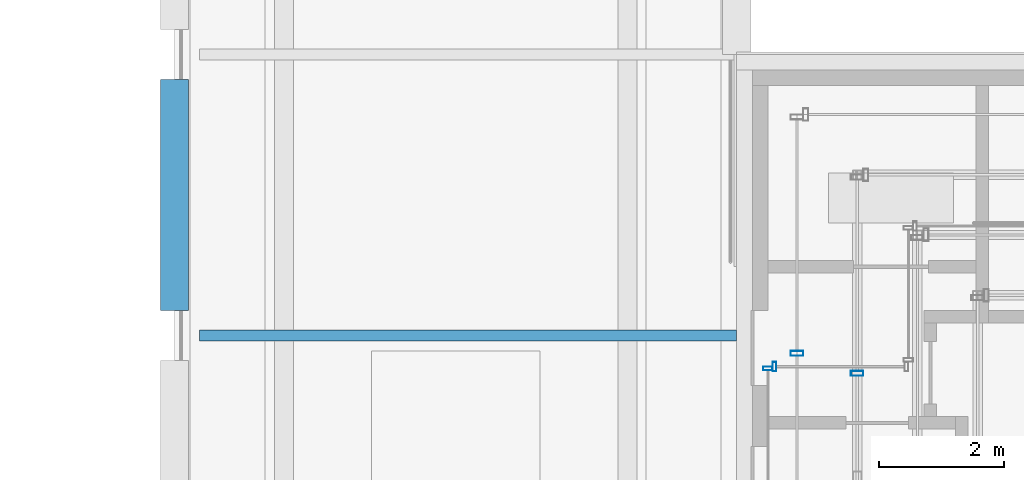
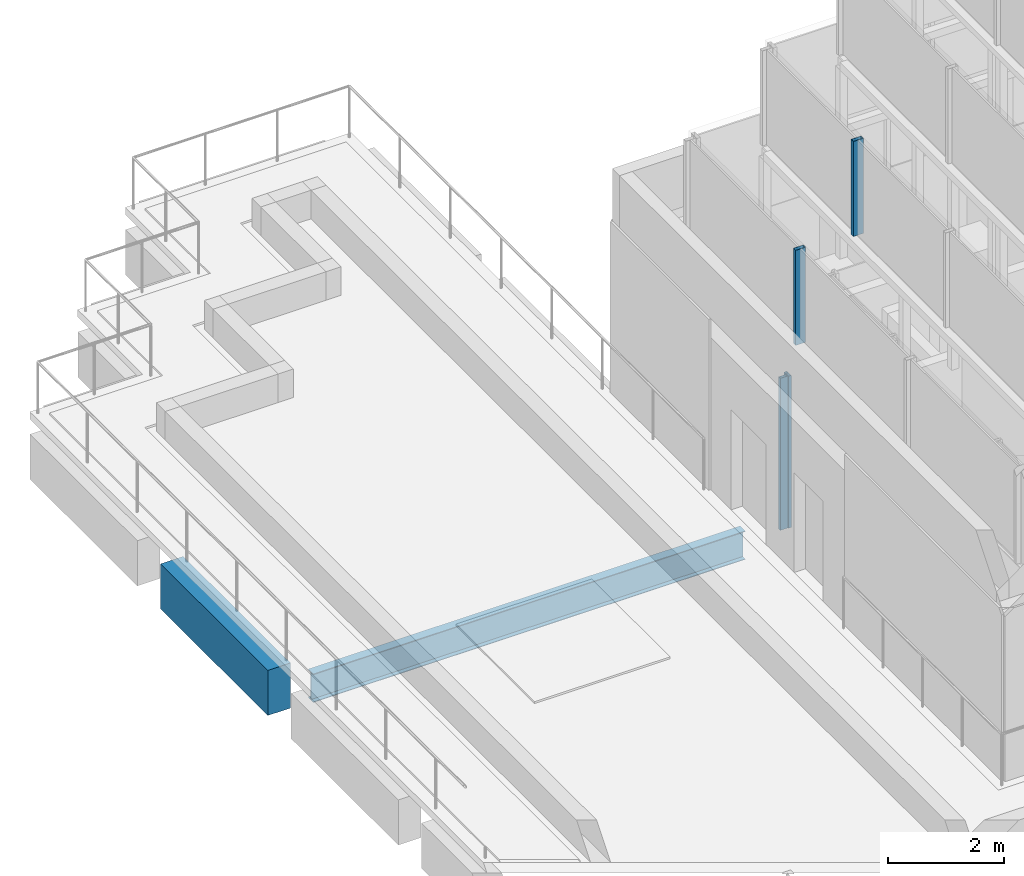
# One storey, part 44 of 62: 4 members, 2 beams, 4 elements without a shape of their own.
"""IFC4 building model written with IfcOpenShell, lengths in metres."""

from ifc_helpers import new_model, si_unit, direction, frame, origin, origin_2d, place, context, subcontext, project, spatial, rectangle, hollow_rectangle, i_section, extrude, material, material_profile, profile_set, type_object, element, aggregate, save


model = new_model("IFC4")

# Units and contexts
model_context = context("Model", 3, precision=1e-05, world=origin(), true_north=direction((0.0, 1.0)))
body_context = subcontext(model_context, "Body", "Model", "MODEL_VIEW")
ifc_project = project(units=[si_unit("LENGTHUNIT", "METRE"), si_unit("AREAUNIT", "SQUARE_METRE"), si_unit("VOLUMEUNIT", "CUBIC_METRE"), si_unit("PLANEANGLEUNIT", "RADIAN"), si_unit("MASSUNIT", "GRAM", prefix="KILO")], contexts=[model_context])

# Site, building, storey
site_placement = place(None, origin())
site = spatial("IfcSite", under=ifc_project, at=site_placement, CompositionType="ELEMENT")
building_placement = place(site_placement, origin())
building = spatial("IfcBuilding", under=site, at=building_placement, Name="Altepetl Exchange Towers", CompositionType="ELEMENT")
storey_placement = place(building_placement, frame((0.0, 0.0, 210.0)))
storey = spatial("IfcBuildingStorey", under=building, at=storey_placement, Name="L53", CompositionType="ELEMENT", Elevation=210.0)

# Beam
ifc_material_1 = material(Name="Steel S355", Category="steel")
ifc_material_profile_1 = material_profile(ifc_material_1, i_section(OverallWidth=0.177978515625, OverallDepth=0.59912109375, WebThickness=0.010009765625, FlangeThickness=0.0126953125, at=origin_2d()), Name="W24X55")
ifc_profile_set_1 = profile_set([ifc_material_profile_1], Name="Steel S355")
beam_type_1 = type_object("IfcBeamType", Name="Floor beam W24X55", PredefinedType="BEAM", material=ifc_profile_set_1)
beam_1_placement = place(storey_placement, frame((94.89990234375, 45.0, -0.449462890625), z_axis=(1.0, 0.0, 0.0), x_axis=(0.0, 1.0, 0.0)))
element("IfcBeam", 1, at=beam_1_placement, inside=storey, type_object=beam_type_1, Name="bm:B:L53:t005", PredefinedType="BEAM", context=body_context, shape_type="SweptSolid", body=[
    extrude(i_section(OverallWidth=0.177978515625, OverallDepth=0.59912109375, WebThickness=0.010009765625, FlangeThickness=0.0126953125, at=origin_2d()), origin(), (0.0, 0.0, 1.0), 8.60009765625),
])

# Curtain wall, member
ifc_material_2 = material(Name="Aluminium 6063-T6 glazing", Category="aluminium")
curtain_wall_type_1 = type_object("IfcCurtainWallType", Name="Loggia glazing system", PredefinedType="NOTDEFINED", material=ifc_material_2)
curtain_wall_1_placement = place(storey_placement, origin())
curtain_wall_1 = element("IfcCurtainWall", 2, at=curtain_wall_1_placement, inside=storey, type_object=curtain_wall_type_1, Name="CW1 run", PredefinedType="NOTDEFINED")
ifc_material_3 = material(Name="Aluminium 6063-T6", Category="aluminium")
ifc_material_profile_2 = material_profile(ifc_material_3, hollow_rectangle(XDim=0.06005859375, YDim=0.14990234375, WallThickness=0.0029296875, at=origin_2d()), Name="Mullion 60x150 aluminium")
ifc_profile_set_2 = profile_set([ifc_material_profile_2], Name="Aluminium 6063-T6")
member_type_1 = type_object("IfcMemberType", Name="Mullion 60x150 aluminium", PredefinedType="MULLION", material=ifc_profile_set_2)
member_1_placement = place(storey_placement, frame((104.10498046875, 44.5, 0.0), z_axis=(0.0, 0.0, 1.0), x_axis=(-1.0, 0.0, 0.0)))
member_1 = element("IfcMember", 3, at=member_1_placement, type_object=member_type_1, Name="MU1 mullion", PredefinedType="MULLION", context=body_context, shape_type="SweptSolid", body=[
    extrude(hollow_rectangle(XDim=0.06005859375, YDim=0.14990234375, WallThickness=0.0029296875, at=origin_2d()), origin(), (0.0, 0.0, 1.0), 3.199951171875),
])
aggregate(curtain_wall_1, [member_1])

curtain_wall_2_placement = place(storey_placement, origin())
curtain_wall_2 = element("IfcCurtainWall", 4, at=curtain_wall_2_placement, inside=storey, type_object=curtain_wall_type_1, Name="CW1 run", PredefinedType="NOTDEFINED")
member_2_placement = place(storey_placement, frame((104.0, 44.469970703125, 0.0), z_axis=(0.0, 0.0, 1.0), x_axis=(0.0, -1.0, 0.0)))
member_2 = element("IfcMember", 5, at=member_2_placement, type_object=member_type_1, Name="MU1 mullion", PredefinedType="MULLION", context=body_context, shape_type="SweptSolid", body=[
    extrude(hollow_rectangle(XDim=0.06005859375, YDim=0.14990234375, WallThickness=0.0029296875, at=origin_2d()), origin(), (0.0, 0.0, 1.0), 3.199951171875),
])
aggregate(curtain_wall_2, [member_2])

curtain_wall_type_2 = type_object("IfcCurtainWallType", Name="Crown glazing system", PredefinedType="NOTDEFINED", material=ifc_material_2)
curtain_wall_3_placement = place(storey_placement, origin())
curtain_wall_3 = element("IfcCurtainWall", 6, at=curtain_wall_3_placement, inside=storey, type_object=curtain_wall_type_2, Name="CW7 run", PredefinedType="NOTDEFINED")
ifc_material_profile_3 = material_profile(ifc_material_3, hollow_rectangle(XDim=0.080078125, YDim=0.199951171875, WallThickness=0.0029296875, at=origin_2d()), Name="Mullion 80x200 hollow aluminium")
ifc_profile_set_3 = profile_set([ifc_material_profile_3], Name="Aluminium 6063-T6")
member_type_2 = type_object("IfcMemberType", Name="Mullion 80x200 hollow aluminium", PredefinedType="MULLION", material=ifc_profile_set_3)
member_3_placement = place(storey_placement, frame((104.46435546875, 44.7119140625, 3.60009765625), z_axis=(0.0, 0.0, 1.0), x_axis=(0.0, -1.0, 0.0)))
member_3 = element("IfcMember", 7, at=member_3_placement, type_object=member_type_2, Name="MU5 mullion", PredefinedType="MULLION", context=body_context, shape_type="SweptSolid", body=[
    extrude(hollow_rectangle(XDim=0.080078125, YDim=0.199951171875, WallThickness=0.0029296875, at=origin_2d()), origin(), (0.0, 0.0, 1.0), 2.0),
])
aggregate(curtain_wall_3, [member_3])

curtain_wall_4_placement = place(storey_placement, origin())
curtain_wall_4 = element("IfcCurtainWall", 8, at=curtain_wall_4_placement, inside=storey, type_object=curtain_wall_type_2, Name="CW7 run", PredefinedType="NOTDEFINED")
member_4_placement = place(storey_placement, frame((105.428466796875, 44.390380859375, 5.75), z_axis=(0.0, 0.0, 1.0), x_axis=(0.0, -1.0, 0.0)))
member_4 = element("IfcMember", 9, at=member_4_placement, type_object=member_type_2, Name="MU5 mullion", PredefinedType="MULLION", context=body_context, shape_type="SweptSolid", body=[
    extrude(hollow_rectangle(XDim=0.080078125, YDim=0.199951171875, WallThickness=0.0029296875, at=origin_2d()), origin(), (0.0, 0.0, 1.0), 2.0),
])
aggregate(curtain_wall_4, [member_4])

# Beam
ifc_material_4 = material(Name="Concrete C50/60 precast with cantera rosa facing", Category="concrete")
ifc_material_profile_4 = material_profile(ifc_material_4, rectangle(XDim=0.449951171875, YDim=0.949951171875, at=origin_2d()), Name="450 x 950")
ifc_profile_set_4 = profile_set([ifc_material_profile_4], Name="Concrete C50/60 precast with cantera rosa facing")
beam_type_2 = type_object("IfcBeamType", Name="Spandrel beam 450x950 cantera rosa", PredefinedType="SPANDREL", material=ifc_profile_set_4)
beam_2_placement = place(storey_placement, frame((94.5, 49.10009765625, -0.625), z_axis=(0.0, -1.0, 0.0), x_axis=(1.0, 0.0, 0.0)))
element("IfcBeam", 10, at=beam_2_placement, inside=storey, type_object=beam_type_2, Name="sp:B:L53:t016", PredefinedType="SPANDREL", context=body_context, shape_type="SweptSolid", body=[
    extrude(rectangle(XDim=0.449951171875, YDim=0.949951171875, at=origin_2d()), origin(), (0.0, 0.0, 1.0), 3.7001953125),
])

save(model, "model.ifc")
